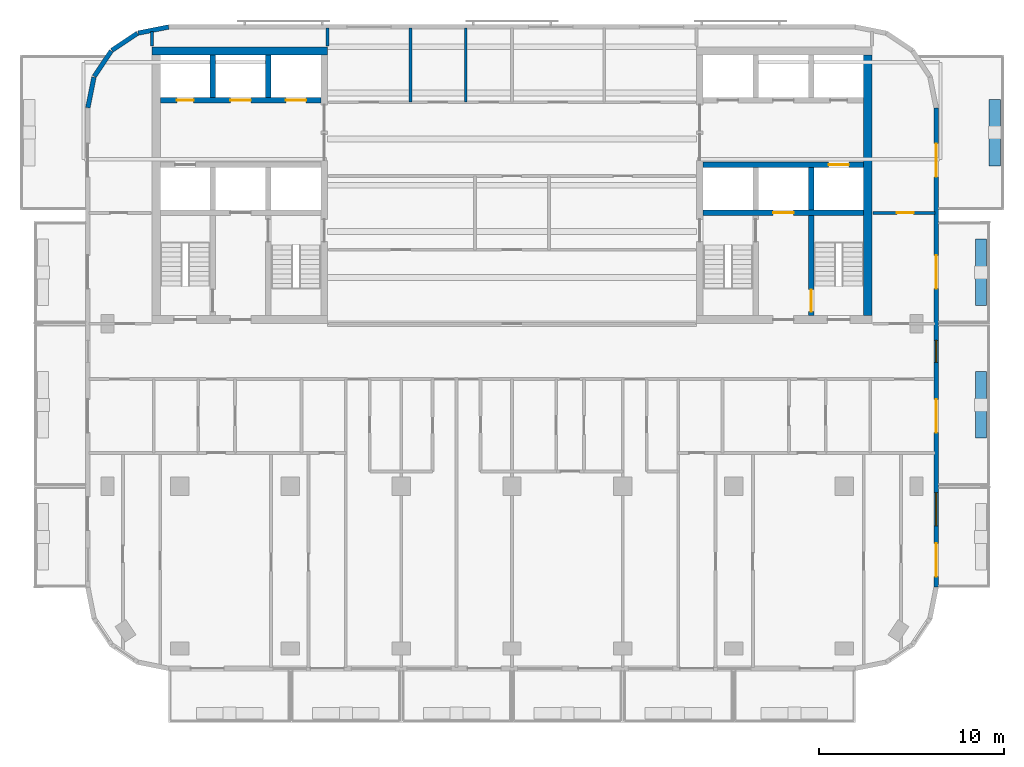
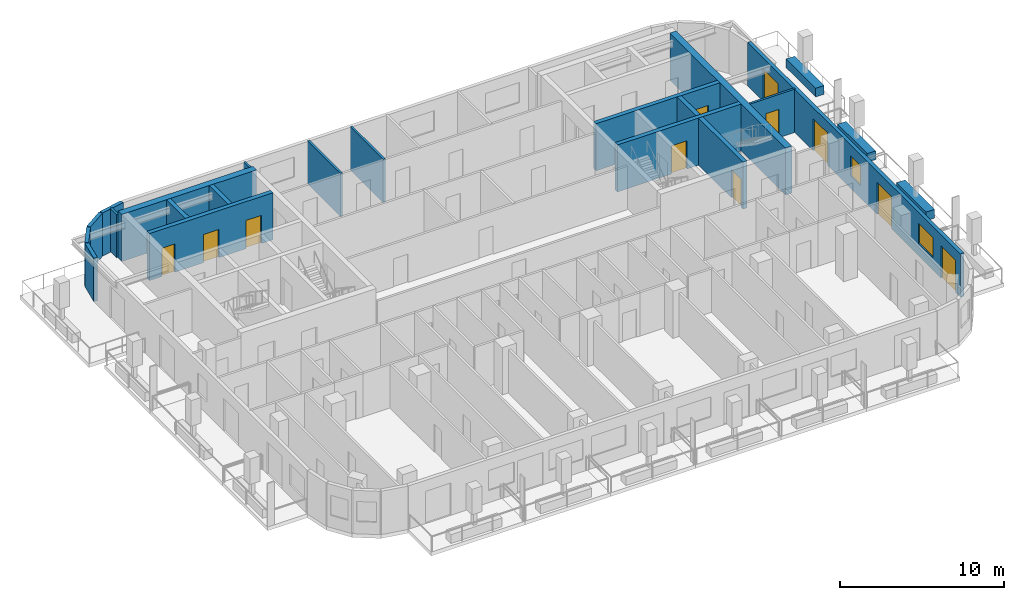
# One storey, part 6 of 11: 22 walls, 11 doors, 2 windows, 13 openings.
"""IFC4 building model written with IfcOpenShell, lengths in metres."""

from ifc_helpers import new_model, si_unit, direction, frame, frame_2d, origin, place, context, subcontext, project, spatial, rectangle, extrude, material, layer, layer_set, type_object, element, fill, save


model = new_model("IFC4")

# Units and contexts
model_context = context("Model", 3, precision=1e-05, world=origin(), true_north=direction((0.0, 1.0)))
body_context = subcontext(model_context, "Body", "Model", "MODEL_VIEW")
ifc_project = project(units=[si_unit("LENGTHUNIT", "METRE"), si_unit("AREAUNIT", "SQUARE_METRE"), si_unit("VOLUMEUNIT", "CUBIC_METRE"), si_unit("PLANEANGLEUNIT", "RADIAN"), si_unit("MASSUNIT", "GRAM", prefix="KILO")], contexts=[model_context])

# Site, building, storey
site_placement = place(None, origin())
site = spatial("IfcSite", under=ifc_project, at=site_placement, CompositionType="ELEMENT")
building_placement = place(site_placement, origin())
building = spatial("IfcBuilding", under=site, at=building_placement, Name="Torana Hotel and Residences", CompositionType="ELEMENT")
storey_placement = place(building_placement, frame((0.0, 0.0, 263.10009765625)))
storey = spatial("IfcBuildingStorey", under=building, at=storey_placement, Name="L69", CompositionType="ELEMENT", Elevation=263.10009765625)

# Wall, openings, doors
ifc_material_1 = material(Name="Concrete C60/75", Category="concrete")
ifc_layer_1 = layer(ifc_material_1, 0.300048828125)
ifc_layer_set_1 = layer_set([ifc_layer_1], Name="CORE WALL 300 C60/75")
wall_type_1 = type_object("IfcWallType", Name="CORE WALL 300 C60/75", PredefinedType="SHEAR", material=ifc_layer_set_1)
wall_1_placement = place(storey_placement, frame((-19.050048828125, -2.89990234375, 0.0), z_axis=(0.0, 0.0, 1.0), x_axis=(1.0, 0.0, 0.0)))
wall_1 = element("IfcWall", 1, at=wall_1_placement, inside=storey, type_object=wall_type_1, Name="Core wall W row-N", PredefinedType="SHEAR", context=body_context, shape_type="SweptSolid", body=[
    extrude(rectangle(XDim=8.699951171875, YDim=0.300048828125, at=frame_2d((4.35009765625, 0.0))), origin(), (0.0, 0.0, 1.0), 3.5),
])
opening_1_placement = place(wall_1_placement, frame((6.800048828125, 0.0, 0.0)))
opening_1 = element("IfcOpeningElement", 2, at=opening_1_placement, cuts=wall_1, Name="Opening LD", PredefinedType="OPENING", context=body_context, shape_type="SweptSolid", body=[
    extrude(rectangle(XDim=1.10009765625, YDim=2.10009765625, at=frame_2d((0.550048828125, 1.050048828125))), frame((0.0, 0.159912109375, 0.0), z_axis=(0.0, -1.0, 0.0), x_axis=(1.0, 0.0, 0.0)), (0.0, 0.0, 1.0), 0.320068359375),
])
opening_2_placement = place(wall_1_placement, frame((3.800048828125, 0.0, 0.0)))
opening_2 = element("IfcOpeningElement", 3, at=opening_2_placement, cuts=wall_1, Name="Opening LD", PredefinedType="OPENING", context=body_context, shape_type="SweptSolid", body=[
    extrude(rectangle(XDim=1.10009765625, YDim=2.10009765625, at=frame_2d((0.550048828125, 1.050048828125))), frame((0.0, 0.159912109375, 0.0), z_axis=(0.0, -1.0, 0.0), x_axis=(1.0, 0.0, 0.0)), (0.0, 0.0, 1.0), 0.320068359375),
])
opening_3_placement = place(wall_1_placement, frame((0.89990234375, 0.0, 0.0)))
opening_3 = element("IfcOpeningElement", 4, at=opening_3_placement, cuts=wall_1, Name="Opening L69-06", PredefinedType="OPENING", context=body_context, shape_type="SweptSolid", body=[
    extrude(rectangle(XDim=0.89990234375, YDim=2.10009765625, at=frame_2d((0.449951171875, 1.050048828125))), frame((0.0, 0.159912109375, 0.0), z_axis=(0.0, -1.0, 0.0), x_axis=(1.0, 0.0, 0.0)), (0.0, 0.0, 1.0), 0.320068359375),
])
ifc_material_2 = material(Name="Stainless steel 316", Category="steel")
door_type_1 = type_object("IfcDoorType", Name="LIFT LANDING DOOR LD 1100x2100", OperationType="DOUBLE_DOOR_SLIDING", PredefinedType="USERDEFINED", material=ifc_material_2)
door_1_placement = place(opening_1_placement, origin())
door_1 = element("IfcDoor", 5, at=door_1_placement, inside=storey, type_object=door_type_1, Name="Lift landing door H1 L69", ObjectType="LIFT LANDING DOOR", OperationType="DOUBLE_DOOR_SLIDING", OverallHeight=2.10009765625, OverallWidth=1.10009765625, PredefinedType="USERDEFINED", context=body_context, shape_type="SweptSolid", body=[
    extrude(rectangle(XDim=1.10009765625, YDim=2.10009765625, at=frame_2d((0.550048828125, 1.050048828125))), frame((0.0, 0.02490234375, 0.0), z_axis=(0.0, -1.0, 0.0), x_axis=(1.0, 0.0, 0.0)), (0.0, 0.0, 1.0), 0.050048828125),
])
fill(opening_1, door_1)
door_2_placement = place(opening_2_placement, origin())
door_2 = element("IfcDoor", 6, at=door_2_placement, inside=storey, type_object=door_type_1, Name="Lift landing door H2 L69", ObjectType="LIFT LANDING DOOR", OperationType="DOUBLE_DOOR_SLIDING", OverallHeight=2.10009765625, OverallWidth=1.10009765625, PredefinedType="USERDEFINED", context=body_context, shape_type="SweptSolid", body=[
    extrude(rectangle(XDim=1.10009765625, YDim=2.10009765625, at=frame_2d((0.550048828125, 1.050048828125))), frame((0.0, 0.02490234375, 0.0), z_axis=(0.0, -1.0, 0.0), x_axis=(1.0, 0.0, 0.0)), (0.0, 0.0, 1.0), 0.050048828125),
])
fill(opening_2, door_2)
ifc_material_3 = material(Name="Steel S235", Category="steel")
door_type_2 = type_object("IfcDoorType", Name="RISER ACCESS DOOR D5 900x2100", OperationType="SINGLE_SWING_LEFT", PredefinedType="DOOR", material=ifc_material_3)
door_3_placement = place(opening_3_placement, origin())
door_3 = element("IfcDoor", 7, at=door_3_placement, inside=storey, type_object=door_type_2, Name="N2 door L69", OperationType="SINGLE_SWING_RIGHT", OverallHeight=2.10009765625, OverallWidth=0.89990234375, PredefinedType="DOOR", context=body_context, shape_type="SweptSolid", body=[
    extrude(rectangle(XDim=0.89990234375, YDim=2.10009765625, at=frame_2d((0.449951171875, 1.050048828125))), frame((0.0, 0.02490234375, 0.0), z_axis=(0.0, -1.0, 0.0), x_axis=(1.0, 0.0, 0.0)), (0.0, 0.0, 1.0), 0.050048828125),
])
fill(opening_3, door_3)

# Walls
for number, where, z_axis, x_axis, name in (
    (8, (-13.199951171875, -2.75, 0.0), (0.0, 0.0, 1.0), (0.0, 1.0, 0.0), "Core wall W x3.05-N"),
    (9, (-16.199951171875, -2.75, 0.0), (0.0, 0.0, 1.0), (0.0, 1.0, 0.0), "Core wall W x6.05-N"),
):
    element("IfcWall", number, at=place(storey_placement, frame(where, z_axis=z_axis, x_axis=x_axis)), inside=storey, type_object=wall_type_1, Name=name, PredefinedType="SHEAR", context=body_context, shape_type="SweptSolid", body=[
        extrude(rectangle(XDim=2.300048828125, YDim=0.300048828125, at=frame_2d((1.14990234375, 0.0))), origin(), (0.0, 0.0, 1.0), 3.5),
    ])

# Wall, opening, door
wall_2_placement = place(storey_placement, frame((10.35009765625, -6.39990234375, 0.0), z_axis=(0.0, 0.0, 1.0), x_axis=(1.0, 0.0, 0.0)))
wall_2 = element("IfcWall", 10, at=wall_2_placement, inside=storey, type_object=wall_type_1, Name="Core wall E row-S", PredefinedType="SHEAR", context=body_context, shape_type="SweptSolid", body=[
    extrude(rectangle(XDim=8.699951171875, YDim=0.300048828125, at=frame_2d((4.35009765625, 0.0))), origin(), (0.0, 0.0, 1.0), 3.5),
])
opening_4_placement = place(wall_2_placement, frame((6.800048828125, 0.0, 0.0)))
opening_4 = element("IfcOpeningElement", 11, at=opening_4_placement, cuts=wall_2, Name="Opening LD", PredefinedType="OPENING", context=body_context, shape_type="SweptSolid", body=[
    extrude(rectangle(XDim=1.10009765625, YDim=2.10009765625, at=frame_2d((0.550048828125, 1.050048828125))), frame((0.0, 0.159912109375, 0.0), z_axis=(0.0, -1.0, 0.0), x_axis=(1.0, 0.0, 0.0)), (0.0, 0.0, 1.0), 0.320068359375),
])
door_4_placement = place(opening_4_placement, origin())
door_4 = element("IfcDoor", 12, at=door_4_placement, inside=storey, type_object=door_type_1, Name="Lift landing door SV2 L69", ObjectType="LIFT LANDING DOOR", OperationType="DOUBLE_DOOR_SLIDING", OverallHeight=2.10009765625, OverallWidth=1.10009765625, PredefinedType="USERDEFINED", context=body_context, shape_type="SweptSolid", body=[
    extrude(rectangle(XDim=1.10009765625, YDim=2.10009765625, at=frame_2d((0.550048828125, 1.050048828125))), frame((0.0, 0.02490234375, 0.0), z_axis=(0.0, -1.0, 0.0), x_axis=(1.0, 0.0, 0.0)), (0.0, 0.0, 1.0), 0.050048828125),
])
fill(opening_4, door_4)

wall_3_placement = place(storey_placement, frame((10.35009765625, -9.0, 0.0), z_axis=(0.0, 0.0, 1.0), x_axis=(1.0, 0.0, 0.0)))
wall_3 = element("IfcWall", 13, at=wall_3_placement, inside=storey, type_object=wall_type_1, Name="Core wall E band", PredefinedType="SHEAR", context=body_context, shape_type="SweptSolid", body=[
    extrude(rectangle(XDim=8.699951171875, YDim=0.300048828125, at=frame_2d((4.35009765625, 0.0))), origin(), (0.0, 0.0, 1.0), 3.5),
])
opening_5_placement = place(wall_3_placement, frame((3.800048828125, 0.0, 0.0)))
opening_5 = element("IfcOpeningElement", 14, at=opening_5_placement, cuts=wall_3, Name="Opening LD", PredefinedType="OPENING", context=body_context, shape_type="SweptSolid", body=[
    extrude(rectangle(XDim=1.10009765625, YDim=2.10009765625, at=frame_2d((0.550048828125, 1.050048828125))), frame((0.0, 0.159912109375, 0.0), z_axis=(0.0, -1.0, 0.0), x_axis=(1.0, 0.0, 0.0)), (0.0, 0.0, 1.0), 0.320068359375),
])
door_5_placement = place(opening_5_placement, origin())
door_5 = element("IfcDoor", 15, at=door_5_placement, inside=storey, type_object=door_type_1, Name="Lift landing door FF2 L69", ObjectType="LIFT LANDING DOOR", OperationType="DOUBLE_DOOR_SLIDING", OverallHeight=2.10009765625, OverallWidth=1.10009765625, PredefinedType="USERDEFINED", context=body_context, shape_type="SweptSolid", body=[
    extrude(rectangle(XDim=1.10009765625, YDim=2.10009765625, at=frame_2d((0.550048828125, 1.050048828125))), frame((0.0, 0.02490234375, 0.0), z_axis=(0.0, -1.0, 0.0), x_axis=(1.0, 0.0, 0.0)), (0.0, 0.0, 1.0), 0.050048828125),
])
fill(opening_5, door_5)

# Wall
wall_4_placement = place(storey_placement, frame((16.199951171875, -8.85009765625, 0.0), z_axis=(0.0, 0.0, 1.0), x_axis=(0.0, 1.0, 0.0)))
element("IfcWall", 16, at=wall_4_placement, inside=storey, type_object=wall_type_1, Name="Core wall E x6.05-S", PredefinedType="SHEAR", context=body_context, shape_type="SweptSolid", body=[
    extrude(rectangle(XDim=2.300048828125, YDim=0.300048828125, at=frame_2d((1.14990234375, 0.0))), origin(), (0.0, 0.0, 1.0), 3.5),
])

# Wall, opening, door
wall_5_placement = place(storey_placement, frame((16.199951171875, -14.550048828125, 0.0), z_axis=(0.0, 0.0, 1.0), x_axis=(0.0, 1.0, 0.0)))
wall_5 = element("IfcWall", 17, at=wall_5_placement, inside=storey, type_object=wall_type_1, Name="Core wall E x6.05-band", PredefinedType="SHEAR", context=body_context, shape_type="SweptSolid", body=[
    extrude(rectangle(XDim=5.400146484375, YDim=0.300048828125, at=frame_2d((2.7001953125, 0.0))), origin(), (0.0, 0.0, 1.0), 3.5),
])
opening_6_placement = place(wall_5_placement, frame((0.199951171875, 0.0, 0.0)))
opening_6 = element("IfcOpeningElement", 18, at=opening_6_placement, cuts=wall_5, Name="Opening L69-16", PredefinedType="OPENING", context=body_context, shape_type="SweptSolid", body=[
    extrude(rectangle(XDim=1.199951171875, YDim=2.10009765625, at=frame_2d((0.60009765625, 1.050048828125))), frame((0.0, 0.159912109375, 0.0), z_axis=(0.0, -1.0, 0.0), x_axis=(1.0, 0.0, 0.0)), (0.0, 0.0, 1.0), 0.320068359375),
])
ifc_material_4 = material(Name="Steel S235", Category="steel")
door_type_3 = type_object("IfcDoorType", Name="STAIR FIRE DOOR D3 1200x2100", OperationType="SINGLE_SWING_LEFT", PredefinedType="DOOR", material=ifc_material_4)
door_6_placement = place(opening_6_placement, frame((0.60009765625, 0.0, 0.0), z_axis=(0.0, 0.0, 1.0), x_axis=(-1.0, 0.0, 0.0)))
door_6 = element("IfcDoor", 19, at=door_6_placement, inside=storey, type_object=door_type_3, Name="Stair-B-lobby door L69", OperationType="SINGLE_SWING_LEFT", OverallHeight=2.10009765625, OverallWidth=1.199951171875, PredefinedType="DOOR", context=body_context, shape_type="SweptSolid", body=[
    extrude(rectangle(XDim=1.199951171875, YDim=2.10009765625, at=frame_2d((0.0, 1.050048828125))), frame((0.0, -0.02490234375, 0.0), z_axis=(0.0, 1.0, 0.0), x_axis=(-1.0, 0.0, 0.0)), (0.0, 0.0, 1.0), 0.050048828125),
])
fill(opening_6, door_6)

# Walls
ifc_material_5 = material(Name="Concrete C60/75", Category="concrete")
ifc_layer_2 = layer(ifc_material_5, 0.449951171875)
ifc_layer_set_2 = layer_set([ifc_layer_2], Name="CORE WALL 450 C60/75")
wall_type_2 = type_object("IfcWallType", Name="CORE WALL 450 C60/75", PredefinedType="SHEAR", material=ifc_layer_set_2)
wall_6_placement = place(storey_placement, frame((-19.5, -0.22509765625, 0.0), z_axis=(0.0, 0.0, 1.0), x_axis=(1.0, 0.0, 0.0)))
element("IfcWall", 20, at=wall_6_placement, inside=storey, type_object=wall_type_2, Name="Core wall W rear", PredefinedType="SHEAR", context=body_context, shape_type="SweptSolid", body=[
    extrude(rectangle(XDim=9.5, YDim=0.449951171875, at=frame_2d((4.75, 0.0))), origin(), (0.0, 0.0, 1.0), 3.5),
])
wall_7_placement = place(storey_placement, frame((19.27490234375, -14.550048828125, 0.0), z_axis=(0.0, 0.0, 1.0), x_axis=(0.0, 1.0, 0.0)))
element("IfcWall", 21, at=wall_7_placement, inside=storey, type_object=wall_type_2, Name="Core wall E outer", PredefinedType="SHEAR", context=body_context, shape_type="SweptSolid", body=[
    extrude(rectangle(XDim=14.10009765625, YDim=0.449951171875, at=frame_2d((7.050048828125, 0.0))), origin(), (0.0, 0.0, 1.0), 3.5),
])
ifc_material_6 = material(Name="Black aluminium composite panel", Category="aluminium")
ifc_layer_3 = layer(ifc_material_6, 0.00390625, Name="Cladding", Category="cladding")
ifc_material_7 = material(Name="Ventilated air cavity")
ifc_layer_4 = layer(ifc_material_7, 0.0400390625, Name="Ventilated cavity", Category="cavity")
ifc_material_8 = material(Name="Mineral wool insulation")
ifc_layer_5 = layer(ifc_material_8, 0.090087890625, Name="Insulation", Category="insulation")
ifc_material_9 = material(Name="Steel S280GD", Category="steel")
ifc_layer_6 = layer(ifc_material_9, 0.092041015625, Name="Steel stud frame", Category="structure")
ifc_material_10 = material(Name="Fire rated plasterboard")
ifc_layer_7 = layer(ifc_material_10, 0.011962890625, Name="Inner board", Category="finish")
ifc_layer_8 = layer(ifc_material_10, 0.011962890625, Name="Second board", Category="finish")
ifc_layer_set_3 = layer_set([ifc_layer_3, ifc_layer_4, ifc_layer_5, ifc_layer_6, ifc_layer_7, ifc_layer_8], Name="EW1 EXTERNAL WALL BLACK METAL CLAD 250")
wall_type_3 = type_object("IfcWallType", Name="EW1 EXTERNAL WALL BLACK METAL CLAD 250", PredefinedType="SOLIDWALL", material=ifc_layer_set_3)
wall_8_placement = place(storey_placement, frame((-18.599853515625, 1.072509765625, 0.0), z_axis=(0.0, 0.0, 1.0), x_axis=(-0.980797896849, -0.195026884138, 0.0)))
element("IfcWall", 22, at=wall_8_placement, inside=storey, type_object=wall_type_3, Name="External wall L69 e0.5", PredefinedType="SOLIDWALL", context=body_context, shape_type="SweptSolid", body=[
    extrude(rectangle(XDim=1.68115234375, YDim=0.25, at=frame_2d((0.840576171875, 0.0))), origin(), (0.0, 0.0, 1.0), 3.219970703125),
])
for number, where, z_axis, x_axis, name in (
    (23, (-20.2939453125, 0.725830078125, 0.0), (0.0, 0.0, 1.0), (-0.831482937015, -0.55555029066, 0.0), "External wall L69 e0.6"),
    (24, (-21.705810546875, -0.228759765625, 0.0), (0.0, 0.0, 1.0), (-0.55555029066, -0.831482937015, 0.0), "External wall L69 e0.7"),
):
    element("IfcWall", number, at=place(storey_placement, frame(where, z_axis=z_axis, x_axis=x_axis)), inside=storey, type_object=wall_type_3, Name=name, PredefinedType="SOLIDWALL", context=body_context, shape_type="SweptSolid", body=[
        extrude(rectangle(XDim=1.65625, YDim=0.25, at=frame_2d((0.828125, 0.0))), origin(), (0.0, 0.0, 1.0), 3.219970703125),
    ])
wall_9_placement = place(storey_placement, frame((-22.64453125, -1.651123046875, 0.0), z_axis=(0.0, 0.0, 1.0), x_axis=(-0.19513878023, -0.980775640221, 0.0)))
element("IfcWall", 25, at=wall_9_placement, inside=storey, type_object=wall_type_3, Name="External wall L69 e0.8", PredefinedType="SOLIDWALL", context=body_context, shape_type="SweptSolid", body=[
    extrude(rectangle(XDim=1.681396484375, YDim=0.25, at=frame_2d((0.8408203125, 0.0))), origin(), (0.0, 0.0, 1.0), 3.219970703125),
])

# Wall, openings, doors, windows
wall_10_placement = place(storey_placement, frame((22.97509765625, -29.275390625, 0.0), z_axis=(0.0, 0.0, 1.0), x_axis=(0.0, 1.0, 0.0)))
wall_10 = element("IfcWall", 26, at=wall_10_placement, inside=storey, type_object=wall_type_3, Name="External wall L69 e0.19", PredefinedType="SOLIDWALL", context=body_context, shape_type="SweptSolid", body=[
    extrude(rectangle(XDim=25.95068359375, YDim=0.25, at=frame_2d((12.975341796875, 0.0))), origin(), (0.0, 0.0, 1.0), 3.219970703125),
])
opening_7_placement = place(wall_10_placement, frame((0.575439453125, 0.0, 0.0)))
opening_7 = element("IfcOpeningElement", 27, at=opening_7_placement, cuts=wall_10, Name="Opening L69-E07", PredefinedType="OPENING", context=body_context, shape_type="SweptSolid", body=[
    extrude(rectangle(XDim=1.800048828125, YDim=2.39990234375, at=frame_2d((0.89990234375, 1.199951171875))), frame((0.0, 0.135009765625, 0.0), z_axis=(0.0, -1.0, 0.0), x_axis=(1.0, 0.0, 0.0)), (0.0, 0.0, 1.0), 0.27001953125),
])
opening_8_placement = place(wall_10_placement, frame((3.325439453125, 0.0, 0.89990234375)))
opening_8 = element("IfcOpeningElement", 28, at=opening_8_placement, cuts=wall_10, Name="Opening W4", PredefinedType="OPENING", context=body_context, shape_type="SweptSolid", body=[
    extrude(rectangle(XDim=1.800048828125, YDim=1.5, at=frame_2d((0.89990234375, 0.75))), frame((0.0, 0.135009765625, 0.0), z_axis=(0.0, -1.0, 0.0), x_axis=(1.0, 0.0, 0.0)), (0.0, 0.0, 1.0), 0.27001953125),
])
opening_9_placement = place(wall_10_placement, frame((8.37548828125, 0.0, 0.0)))
opening_9 = element("IfcOpeningElement", 29, at=opening_9_placement, cuts=wall_10, Name="Opening L69-E08", PredefinedType="OPENING", context=body_context, shape_type="SweptSolid", body=[
    extrude(rectangle(XDim=1.800048828125, YDim=2.39990234375, at=frame_2d((0.89990234375, 1.199951171875))), frame((0.0, 0.135009765625, 0.0), z_axis=(0.0, -1.0, 0.0), x_axis=(1.0, 0.0, 0.0)), (0.0, 0.0, 1.0), 0.27001953125),
])
opening_10_placement = place(wall_10_placement, frame((12.17529296875, 0.0, 0.89990234375)))
opening_10 = element("IfcOpeningElement", 30, at=opening_10_placement, cuts=wall_10, Name="Opening W5", PredefinedType="OPENING", context=body_context, shape_type="SweptSolid", body=[
    extrude(rectangle(XDim=1.199951171875, YDim=1.5, at=frame_2d((0.60009765625, 0.75))), frame((0.0, 0.135009765625, 0.0), z_axis=(0.0, -1.0, 0.0), x_axis=(1.0, 0.0, 0.0)), (0.0, 0.0, 1.0), 0.27001953125),
])
opening_11_placement = place(wall_10_placement, frame((16.17529296875, 0.0, 0.0)))
opening_11 = element("IfcOpeningElement", 31, at=opening_11_placement, cuts=wall_10, Name="Opening L69-E09", PredefinedType="OPENING", context=body_context, shape_type="SweptSolid", body=[
    extrude(rectangle(XDim=1.800048828125, YDim=2.39990234375, at=frame_2d((0.89990234375, 1.199951171875))), frame((0.0, 0.135009765625, 0.0), z_axis=(0.0, -1.0, 0.0), x_axis=(1.0, 0.0, 0.0)), (0.0, 0.0, 1.0), 0.27001953125),
])
opening_12_placement = place(wall_10_placement, frame((22.225341796875, 0.0, 0.0)))
opening_12 = element("IfcOpeningElement", 32, at=opening_12_placement, cuts=wall_10, Name="Opening L69-E10", PredefinedType="OPENING", context=body_context, shape_type="SweptSolid", body=[
    extrude(rectangle(XDim=1.800048828125, YDim=2.39990234375, at=frame_2d((0.89990234375, 1.199951171875))), frame((0.0, 0.135009765625, 0.0), z_axis=(0.0, -1.0, 0.0), x_axis=(1.0, 0.0, 0.0)), (0.0, 0.0, 1.0), 0.27001953125),
])
ifc_material_11 = material(Name="Dark glass in black aluminium frame", Category="aluminium")
door_type_4 = type_object("IfcDoorType", Name="DB1 BALCONY DOOR 1800x2400", OperationType="DOUBLE_DOOR_SINGLE_SWING", PredefinedType="DOOR", material=ifc_material_11)
door_7_placement = place(opening_7_placement, origin())
door_7 = element("IfcDoor", 33, at=door_7_placement, inside=storey, type_object=door_type_4, Name="Balcony door L69", OperationType="DOUBLE_DOOR_SINGLE_SWING", OverallHeight=2.39990234375, OverallWidth=1.800048828125, PredefinedType="DOOR", context=body_context, shape_type="SweptSolid", body=[
    extrude(rectangle(XDim=1.800048828125, YDim=2.39990234375, at=frame_2d((0.89990234375, 1.199951171875))), frame((0.0, 0.02490234375, 0.0), z_axis=(0.0, -1.0, 0.0), x_axis=(1.0, 0.0, 0.0)), (0.0, 0.0, 1.0), 0.050048828125),
])
fill(opening_7, door_7)
door_8_placement = place(opening_9_placement, origin())
door_8 = element("IfcDoor", 34, at=door_8_placement, inside=storey, type_object=door_type_4, Name="Balcony door L69", OperationType="DOUBLE_DOOR_SINGLE_SWING", OverallHeight=2.39990234375, OverallWidth=1.800048828125, PredefinedType="DOOR", context=body_context, shape_type="SweptSolid", body=[
    extrude(rectangle(XDim=1.800048828125, YDim=2.39990234375, at=frame_2d((0.89990234375, 1.199951171875))), frame((0.0, 0.02490234375, 0.0), z_axis=(0.0, -1.0, 0.0), x_axis=(1.0, 0.0, 0.0)), (0.0, 0.0, 1.0), 0.050048828125),
])
fill(opening_9, door_8)
door_9_placement = place(opening_11_placement, origin())
door_9 = element("IfcDoor", 35, at=door_9_placement, inside=storey, type_object=door_type_4, Name="Balcony door L69", OperationType="DOUBLE_DOOR_SINGLE_SWING", OverallHeight=2.39990234375, OverallWidth=1.800048828125, PredefinedType="DOOR", context=body_context, shape_type="SweptSolid", body=[
    extrude(rectangle(XDim=1.800048828125, YDim=2.39990234375, at=frame_2d((0.89990234375, 1.199951171875))), frame((0.0, 0.02490234375, 0.0), z_axis=(0.0, -1.0, 0.0), x_axis=(1.0, 0.0, 0.0)), (0.0, 0.0, 1.0), 0.050048828125),
])
fill(opening_11, door_9)
door_10_placement = place(opening_12_placement, origin())
door_10 = element("IfcDoor", 36, at=door_10_placement, inside=storey, type_object=door_type_4, Name="Balcony door L69", OperationType="DOUBLE_DOOR_SINGLE_SWING", OverallHeight=2.39990234375, OverallWidth=1.800048828125, PredefinedType="DOOR", context=body_context, shape_type="SweptSolid", body=[
    extrude(rectangle(XDim=1.800048828125, YDim=2.39990234375, at=frame_2d((0.89990234375, 1.199951171875))), frame((0.0, 0.02490234375, 0.0), z_axis=(0.0, -1.0, 0.0), x_axis=(1.0, 0.0, 0.0)), (0.0, 0.0, 1.0), 0.050048828125),
])
fill(opening_12, door_10)
ifc_material_12 = material(Name="Dark glass in black aluminium frame", Category="aluminium")
window_type_1 = type_object("IfcWindowType", Name="W4 RESIDENCE WINDOW NARROW 1800x1500", PartitioningType="SINGLE_PANEL", PredefinedType="WINDOW", material=ifc_material_12)
window_1_placement = place(opening_8_placement, origin())
window_1 = element("IfcWindow", 37, at=window_1_placement, inside=storey, type_object=window_type_1, Name="Window L69", OverallHeight=1.5, OverallWidth=1.800048828125, PartitioningType="SINGLE_PANEL", PredefinedType="WINDOW", context=body_context, shape_type="SweptSolid", body=[
    extrude(rectangle(XDim=1.800048828125, YDim=1.5, at=frame_2d((0.89990234375, 0.75))), frame((0.0, 0.030029296875, 0.0), z_axis=(0.0, -1.0, 0.0), x_axis=(1.0, 0.0, 0.0)), (0.0, 0.0, 1.0), 0.06005859375),
])
fill(opening_8, window_1)
ifc_material_13 = material(Name="Dark glass in black aluminium frame", Category="aluminium")
window_type_2 = type_object("IfcWindowType", Name="W5 CORNER FACET WINDOW 1200x1500", PartitioningType="SINGLE_PANEL", PredefinedType="WINDOW", material=ifc_material_13)
window_2_placement = place(opening_10_placement, origin())
window_2 = element("IfcWindow", 38, at=window_2_placement, inside=storey, type_object=window_type_2, Name="Window L69", OverallHeight=1.5, OverallWidth=1.199951171875, PartitioningType="SINGLE_PANEL", PredefinedType="WINDOW", context=body_context, shape_type="SweptSolid", body=[
    extrude(rectangle(XDim=1.199951171875, YDim=1.5, at=frame_2d((0.60009765625, 0.75))), frame((0.0, 0.030029296875, 0.0), z_axis=(0.0, -1.0, 0.0), x_axis=(1.0, 0.0, 0.0)), (0.0, 0.0, 1.0), 0.06005859375),
])
fill(opening_10, window_2)

# Walls
ifc_material_14 = material(Name="Gypsum plasterboard")
ifc_layer_9 = layer(ifc_material_14, 0.012451171875, Name="Plasterboard", Category="finish")
ifc_layer_10 = layer(ifc_material_14, 0.012451171875, Name="Plasterboard", Category="finish")
ifc_layer_11 = layer(ifc_material_9, 0.10009765625, Name="Steel studs with mineral wool", Category="insulation")
ifc_layer_12 = layer(ifc_material_14, 0.012451171875, Name="Plasterboard", Category="finish")
ifc_layer_13 = layer(ifc_material_14, 0.012451171875, Name="Plasterboard", Category="finish")
ifc_layer_set_4 = layer_set([ifc_layer_9, ifc_layer_10, ifc_layer_11, ifc_layer_12, ifc_layer_13], Name="PARTITION 150 PLASTERBOARD")
wall_type_4 = type_object("IfcWallType", Name="PARTITION 150 PLASTERBOARD", PredefinedType="PARTITIONING", material=ifc_layer_set_4)
wall_11_placement = place(storey_placement, frame((-10.0, 0.050048828125, 0.0), z_axis=(0.0, 0.0, 1.0), x_axis=(0.0, 1.0, 0.0)))
element("IfcWall", 39, at=wall_11_placement, inside=storey, type_object=wall_type_4, Name="Partition L69", PredefinedType="PARTITIONING", context=body_context, shape_type="SweptSolid", body=[
    extrude(rectangle(XDim=0.969970703125, YDim=0.14990234375, at=frame_2d((0.48486328125, 0.0))), origin(), (0.0, 0.0, 1.0), 3.219970703125),
])
wall_12_placement = place(storey_placement, frame((-19.5, 0.050048828125, 0.0), z_axis=(0.0, 0.0, 1.0), x_axis=(0.0, 1.0, 0.0)))
element("IfcWall", 40, at=wall_12_placement, inside=storey, type_object=wall_type_4, Name="Partition L69", PredefinedType="PARTITIONING", context=body_context, shape_type="SweptSolid", body=[
    extrude(rectangle(XDim=0.787353515625, YDim=0.14990234375, at=frame_2d((0.3935546875, 0.0))), origin(), (0.0, 0.0, 1.0), 3.219970703125),
])

# Wall, opening, door
wall_13_placement = place(storey_placement, frame((19.550048828125, -9.0, 0.0), z_axis=(0.0, 0.0, 1.0), x_axis=(1.0, 0.0, 0.0)))
wall_13 = element("IfcWall", 41, at=wall_13_placement, inside=storey, type_object=wall_type_4, Name="Partition L69", PredefinedType="PARTITIONING", context=body_context, shape_type="SweptSolid", body=[
    extrude(rectangle(XDim=3.369873046875, YDim=0.14990234375, at=frame_2d((1.68505859375, 0.0))), origin(), (0.0, 0.0, 1.0), 3.219970703125),
])
opening_13_placement = place(wall_13_placement, frame((1.300048828125, 0.0, 0.0)))
opening_13 = element("IfcOpeningElement", 42, at=opening_13_placement, cuts=wall_13, Name="Opening L69-62", PredefinedType="OPENING", context=body_context, shape_type="SweptSolid", body=[
    extrude(rectangle(XDim=0.89990234375, YDim=2.10009765625, at=frame_2d((0.449951171875, 1.050048828125))), frame((0.0, 0.0849609375, 0.0), z_axis=(0.0, -1.0, 0.0), x_axis=(1.0, 0.0, 0.0)), (0.0, 0.0, 1.0), 0.169921875),
])
ifc_material_15 = material(Name="Timber door, oiled ash", Category="wood")
door_type_5 = type_object("IfcDoorType", Name="ROOM DOOR D7 900x2100", OperationType="SINGLE_SWING_LEFT", PredefinedType="DOOR", material=ifc_material_15)
door_11_placement = place(opening_13_placement, origin())
door_11 = element("IfcDoor", 43, at=door_11_placement, inside=storey, type_object=door_type_5, Name="Door L69", OperationType="SINGLE_SWING_LEFT", OverallHeight=2.10009765625, OverallWidth=0.89990234375, PredefinedType="DOOR", context=body_context, shape_type="SweptSolid", body=[
    extrude(rectangle(XDim=0.89990234375, YDim=2.10009765625, at=frame_2d((0.449951171875, 1.050048828125))), frame((0.0, 0.02490234375, 0.0), z_axis=(0.0, -1.0, 0.0), x_axis=(1.0, 0.0, 0.0)), (0.0, 0.0, 1.0), 0.050048828125),
])
fill(opening_13, door_11)

# Walls
ifc_material_16 = material(Name="Concrete C40/50 precast", Category="concrete")
ifc_layer_14 = layer(ifc_material_16, 0.10009765625, Name="Planter shell", Category="structure")
ifc_material_17 = material(Name="Root resistant membrane")
ifc_layer_15 = layer(ifc_material_17, 0.00390625, Name="Waterproofing membrane", Category="membrane")
ifc_material_18 = material(Name="Drainage board with filter fleece")
ifc_layer_16 = layer(ifc_material_18, 0.02001953125, Name="Drainage board", Category="drainage")
ifc_material_19 = material(Name="Growing medium")
ifc_layer_17 = layer(ifc_material_19, 0.47607421875, Name="Planting substrate", Category="soil")
ifc_layer_set_5 = layer_set([ifc_layer_14, ifc_layer_15, ifc_layer_16, ifc_layer_17], Name="PL1 BALCONY PLANTER 600")
wall_type_5 = type_object("IfcWallType", Name="PL1 BALCONY PLANTER 600", PredefinedType="USERDEFINED", material=ifc_layer_set_5)
for number, where, z_axis, x_axis, name in (
    (44, (25.39990234375, -17.60009765625, 0.0), (0.0, 0.0, 1.0), (0.0, -1.0, 0.0), "Planter 12"),
    (45, (25.39990234375, -10.425048828125, 0.0), (0.0, 0.0, 1.0), (0.0, -1.0, 0.0), "Planter 13"),
    (46, (26.14990234375, -2.85009765625, 0.0), (0.0, 0.0, 1.0), (0.0, -1.0, 0.0), "Planter 14"),
):
    element("IfcWall", number, at=place(storey_placement, frame(where, z_axis=z_axis, x_axis=x_axis)), inside=storey, type_object=wall_type_5, Name=name, ObjectType="PLANTER", PredefinedType="USERDEFINED", context=body_context, shape_type="SweptSolid", body=[
        extrude(rectangle(XDim=3.599853515625, YDim=0.60009765625, at=frame_2d((1.7998046875, 0.0))), origin(), (0.0, 0.0, 1.0), 0.64990234375),
    ])
ifc_material_20 = material(Name="Ceramic tile on adhesive")
ifc_layer_18 = layer(ifc_material_20, 0.010009765625, Name="Wall tile", Category="finish")
ifc_material_21 = material(Name="Cement render")
ifc_layer_19 = layer(ifc_material_21, 0.010009765625, Name="Render", Category="finish")
ifc_material_22 = material(Name="Concrete blockwork", Category="masonry")
ifc_layer_20 = layer(ifc_material_22, 0.110107421875, Name="Blockwork", Category="structure")
ifc_layer_21 = layer(ifc_material_21, 0.010009765625, Name="Render", Category="finish")
ifc_layer_22 = layer(ifc_material_20, 0.010009765625, Name="Wall tile", Category="finish")
ifc_layer_set_6 = layer_set([ifc_layer_18, ifc_layer_19, ifc_layer_20, ifc_layer_21, ifc_layer_22], Name="WC PARTITION 150")
wall_type_6 = type_object("IfcWallType", Name="WC PARTITION 150", PredefinedType="PLUMBINGWALL", material=ifc_layer_set_6)
for number, where, z_axis, x_axis, name in (
    (47, (-2.5, -3.0, 0.0), (0.0, 0.0, 1.0), (0.0, 1.0, 0.0), "Partition L69"),
    (48, (-5.5, -3.0, 0.0), (0.0, 0.0, 1.0), (0.0, 1.0, 0.0), "Partition L69"),
):
    element("IfcWall", number, at=place(storey_placement, frame(where, z_axis=z_axis, x_axis=x_axis)), inside=storey, type_object=wall_type_6, Name=name, PredefinedType="PLUMBINGWALL", context=body_context, shape_type="SweptSolid", body=[
        extrude(rectangle(XDim=4.02001953125, YDim=0.14990234375, at=frame_2d((2.010009765625, 0.0))), origin(), (0.0, 0.0, 1.0), 3.219970703125),
    ])

save(model, "model.ifc")
